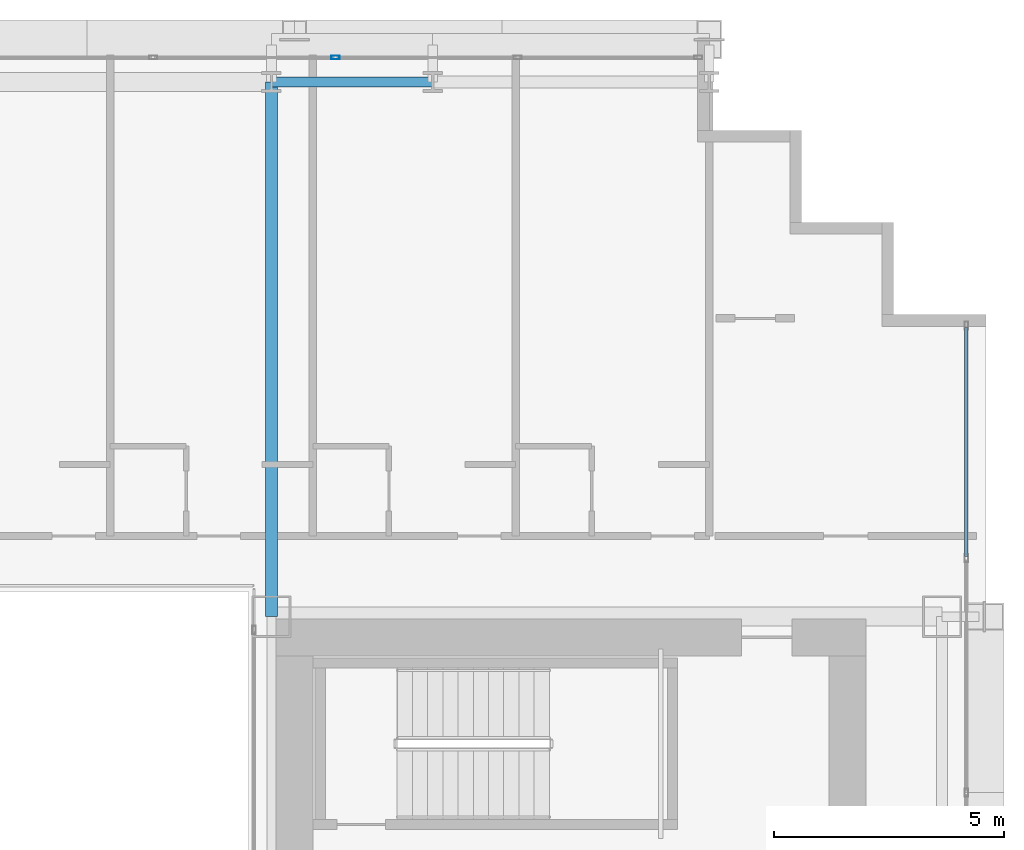
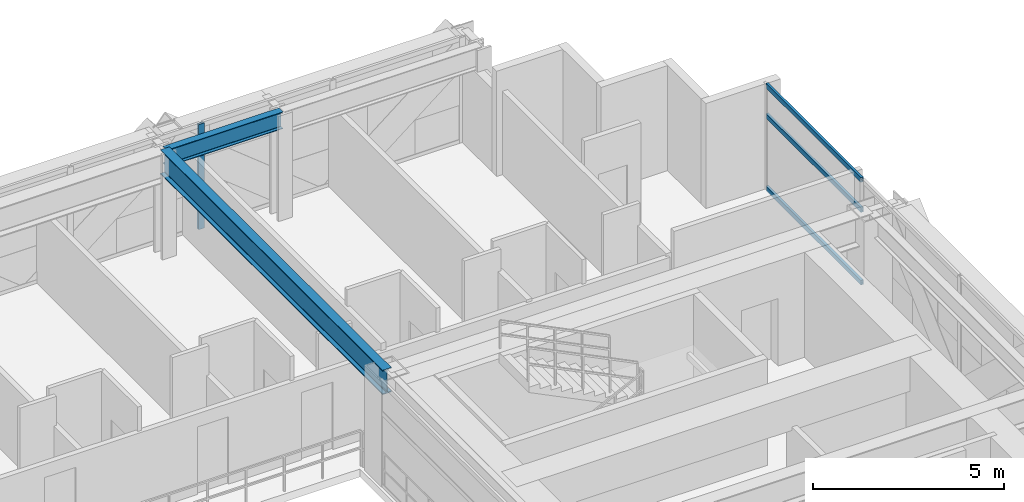
# One storey, part 24 of 41: 4 members, 2 beams, 2 elements without a shape of their own.
"""IFC4 building model written with IfcOpenShell, lengths in metres."""

from ifc_helpers import new_model, si_unit, direction, frame, origin, origin_2d, place, context, subcontext, project, spatial, hollow_rectangle, i_section, extrude, source, transform, mapped, material, layer, layer_set, material_profile, profile_set, type_object, element, aggregate, save


model = new_model("IFC4")

# Units and contexts
model_context = context("Model", 3, precision=1e-05, world=origin(), true_north=direction((0.0, 1.0)))
body_context = subcontext(model_context, "Body", "Model", "MODEL_VIEW")
ifc_project = project(units=[si_unit("LENGTHUNIT", "METRE"), si_unit("AREAUNIT", "SQUARE_METRE"), si_unit("VOLUMEUNIT", "CUBIC_METRE"), si_unit("PLANEANGLEUNIT", "RADIAN"), si_unit("MASSUNIT", "GRAM", prefix="KILO")], contexts=[model_context])

# Site, building, storey
site_placement = place(None, origin())
site = spatial("IfcSite", under=ifc_project, at=site_placement, CompositionType="ELEMENT")
building_placement = place(site_placement, origin())
building = spatial("IfcBuilding", under=site, at=building_placement, Name="Ocotamira Hotel", CompositionType="ELEMENT")
storey_placement = place(building_placement, frame((0.0, 0.0, 38.39990234375)))
storey = spatial("IfcBuildingStorey", under=building, at=storey_placement, Name="L08", CompositionType="ELEMENT", Elevation=38.39990234375)

# Beams
ifc_material_1 = material(Name="Steel ASTM A992 Grade 50", Category="steel")
ifc_material_profile_1 = material_profile(ifc_material_1, i_section(OverallWidth=0.2099609375, OverallDepth=0.537109375, WebThickness=0.010986328125, FlangeThickness=0.017333984375, FilletRadius=0.012939453125, at=origin_2d()), Name="W21X68")
ifc_profile_set_1 = profile_set([ifc_material_profile_1], Name="Steel ASTM A992 Grade 50")
beam_type_1 = type_object("IfcBeamType", Name="BM-SEC-W21X68", PredefinedType="JOIST", material=ifc_profile_set_1)
shared_shape_1 = source(origin(), body_context, "Body", "SweptSolid", [
    extrude(i_section(OverallWidth=0.2099609375, OverallDepth=0.537109375, WebThickness=0.010986328125, FlangeThickness=0.017333984375, FilletRadius=0.012939453125, at=origin_2d()), origin(), (0.0, 0.0, 1.0), 3.5),
])
beam_1_placement = place(storey_placement, frame((40.5, 49.050048828125, 3.08154296875), z_axis=(1.0, 0.0, 0.0), x_axis=(0.0, 1.0, 0.0)))
element("IfcBeam", 1, at=beam_1_placement, inside=storey, type_object=beam_type_1, Name="L08 Girder Y49.05 X40.5-44", PredefinedType="JOIST", context=body_context, shape_type="MappedRepresentation", body=[
    mapped(shared_shape_1, transform((0.0, 0.0, 0.0), scale=1.0)),
])
ifc_material_profile_2 = material_profile(ifc_material_1, i_section(OverallWidth=0.26611328125, OverallDepth=0.779052734375, WebThickness=0.0166015625, FlangeThickness=0.030029296875, FilletRadius=0.01806640625, at=origin_2d()), Name="W30X148")
ifc_profile_set_2 = profile_set([ifc_material_profile_2], Name="Steel ASTM A992 Grade 50")
beam_type_2 = type_object("IfcBeamType", Name="BM-GIRD-W30X148", PredefinedType="BEAM", material=ifc_profile_set_2)
shared_shape_2 = source(origin(), body_context, "Body", "SweptSolid", [
    extrude(i_section(OverallWidth=0.26611328125, OverallDepth=0.779052734375, WebThickness=0.0166015625, FlangeThickness=0.030029296875, FilletRadius=0.01806640625, at=origin_2d()), origin(), (0.0, 0.0, 1.0), 11.60009765625),
])
beam_2_placement = place(storey_placement, frame((40.5, 37.449951171875, 2.960693359375), z_axis=(0.0, 1.0, 0.0), x_axis=(-1.0, 0.0, 0.0)))
element("IfcBeam", 2, at=beam_2_placement, inside=storey, type_object=beam_type_2, Name="L08 Beam X40.5 Y37.45-49.05", PredefinedType="BEAM", context=body_context, shape_type="MappedRepresentation", body=[
    mapped(shared_shape_2, transform((0.0, 0.0, 0.0), scale=1.0)),
])

# Curtain wall, members
ifc_material_2 = material(Name="Anodised pale-metal aluminium and solar glass", Category="aluminium")
ifc_layer = layer(ifc_material_2, 0.179931640625)
ifc_layer_set = layer_set([ifc_layer], Name="Anodised pale-metal aluminium and solar glass")
curtain_wall_type = type_object("IfcCurtainWallType", Name="CW-SYS2-Z1", PredefinedType="NOTDEFINED", material=ifc_layer_set)
curtain_wall_1_placement = place(storey_placement, origin())
curtain_wall_1 = element("IfcCurtainWall", 3, at=curtain_wall_1_placement, inside=storey, type_object=curtain_wall_type, Name="L08 Curtain Wall CW-2 CW-L08-E", PredefinedType="NOTDEFINED")
ifc_material_3 = material(Name="Anodised pale-metal aluminium 6063-T6", Category="aluminium")
ifc_material_profile_3 = material_profile(ifc_material_3, hollow_rectangle(XDim=0.074951171875, YDim=0.14990234375, WallThickness=0.006103515625, at=origin_2d()), Name="HSS150X75X6")
ifc_profile_set_3 = profile_set([ifc_material_profile_3], Name="Anodised pale-metal aluminium 6063-T6")
member_type_1 = type_object("IfcMemberType", Name="CWT-150X75", PredefinedType="USERDEFINED", material=ifc_profile_set_3)
shared_shape_3 = source(origin(), body_context, "Body", "SweptSolid", [
    extrude(hollow_rectangle(XDim=0.074951171875, YDim=0.14990234375, WallThickness=0.006103515625, at=origin_2d()), origin(), (0.0, 0.0, 1.0), 4.965576171875),
])
member_1_placement = place(storey_placement, frame((55.580078125, 38.75439453125, 0.03759765625), z_axis=(0.0, 1.0, 0.0), x_axis=(-1.0, 0.0, 0.0)))
member_1 = element("IfcMember", 4, at=member_1_placement, type_object=member_type_1, Name="CW-2 transom 7.1", ObjectType="TRANSOM", PredefinedType="USERDEFINED", context=body_context, shape_type="MappedRepresentation", body=[
    mapped(shared_shape_3, transform((0.0, 0.0, 0.0), scale=1.0)),
])
member_2_placement = place(storey_placement, frame((55.580078125, 38.75439453125, 2.35009765625), z_axis=(0.0, 1.0, 0.0), x_axis=(-1.0, 0.0, 0.0)))
member_2 = element("IfcMember", 5, at=member_2_placement, type_object=member_type_1, Name="CW-2 transom 7.2", ObjectType="TRANSOM", PredefinedType="USERDEFINED", context=body_context, shape_type="MappedRepresentation", body=[
    mapped(shared_shape_3, transform((0.0, 0.0, 0.0), scale=1.0)),
])
member_3_placement = place(storey_placement, frame((55.580078125, 38.75439453125, 3.3125), z_axis=(0.0, 1.0, 0.0), x_axis=(-1.0, 0.0, 0.0)))
member_3 = element("IfcMember", 6, at=member_3_placement, type_object=member_type_1, Name="CW-2 transom 7.3", ObjectType="TRANSOM", PredefinedType="USERDEFINED", context=body_context, shape_type="MappedRepresentation", body=[
    mapped(shared_shape_3, transform((0.0, 0.0, 0.0), scale=1.0)),
])
aggregate(curtain_wall_1, [member_1, member_2, member_3])

# Curtain wall, member
curtain_wall_2_placement = place(storey_placement, origin())
curtain_wall_2 = element("IfcCurtainWall", 7, at=curtain_wall_2_placement, inside=storey, type_object=curtain_wall_type, Name="L08 Curtain Wall CW-2 CW-L08-N", PredefinedType="NOTDEFINED")
ifc_material_profile_4 = material_profile(ifc_material_3, hollow_rectangle(XDim=0.080078125, YDim=0.179931640625, WallThickness=0.006103515625, at=origin_2d()), Name="HSS180X80X6")
ifc_profile_set_4 = profile_set([ifc_material_profile_4], Name="Anodised pale-metal aluminium 6063-T6")
member_type_2 = type_object("IfcMemberType", Name="CWM-180X75", PredefinedType="MULLION", material=ifc_profile_set_4)
shared_shape_4 = source(origin(), body_context, "Body", "SweptSolid", [
    extrude(hollow_rectangle(XDim=0.080078125, YDim=0.179931640625, WallThickness=0.006103515625, at=origin_2d()), origin(), (0.0, 0.0, 1.0), 3.35009765625),
])
member_4_placement = place(storey_placement, frame((41.888916015625, 49.580078125, 0.0), z_axis=(0.0, 0.0, 1.0), x_axis=(0.0, 1.0, 0.0)))
member_4 = element("IfcMember", 8, at=member_4_placement, type_object=member_type_2, Name="CW-2 mullion 8", PredefinedType="MULLION", context=body_context, shape_type="MappedRepresentation", body=[
    mapped(shared_shape_4, transform((0.0, 0.0, 0.0), scale=1.0)),
])
aggregate(curtain_wall_2, [member_4])

save(model, "model.ifc")
